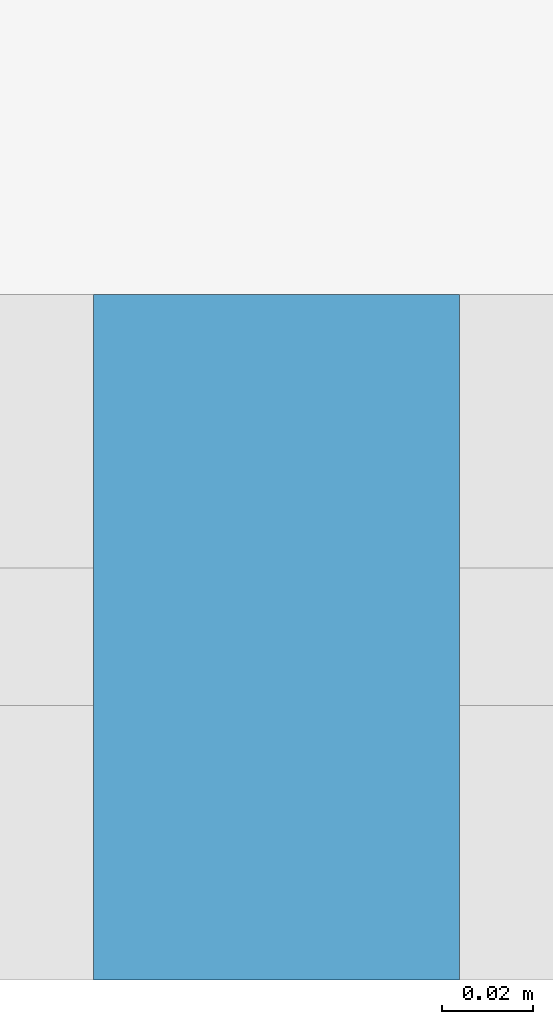
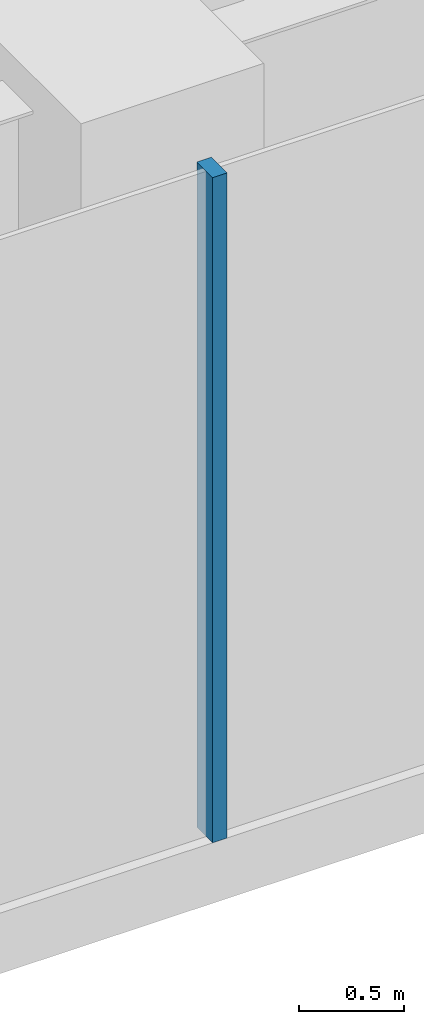
# One storey, part 5 of 26: 1 member, 1 element without a shape of its own.
"""IFC4 building model written with IfcOpenShell, lengths in metres."""

from ifc_helpers import new_model, si_unit, direction, frame, origin, origin_2d, place, context, subcontext, project, spatial, rectangle, extrude, material, layer, layer_set, material_profile, profile_set, type_object, element, aggregate, save


model = new_model("IFC4")

# Units and contexts
model_context = context("Model", 3, precision=1e-05, world=origin(), true_north=direction((0.0, 1.0)))
body_context = subcontext(model_context, "Body", "Model", "MODEL_VIEW")
ifc_project = project(units=[si_unit("LENGTHUNIT", "METRE"), si_unit("AREAUNIT", "SQUARE_METRE"), si_unit("VOLUMEUNIT", "CUBIC_METRE"), si_unit("PLANEANGLEUNIT", "RADIAN"), si_unit("MASSUNIT", "GRAM", prefix="KILO")], contexts=[model_context])

# Site, building, storey
site_placement = place(None, origin())
site = spatial("IfcSite", under=ifc_project, at=site_placement, CompositionType="ELEMENT")
building_placement = place(site_placement, origin())
building = spatial("IfcBuilding", under=site, at=building_placement, Name="Firuza Gate Tower and Library", CompositionType="ELEMENT")
storey_placement = place(building_placement, frame((0.0, 0.0, 65.199951171875)))
storey = spatial("IfcBuildingStorey", under=building, at=storey_placement, Name="L14", CompositionType="ELEMENT", Elevation=65.199951171875)

# Curtain wall, member
ifc_material_1 = material(Name="Aluminium 6063-T6", Category="aluminium")
ifc_layer = layer(ifc_material_1, 0.14990234375)
ifc_layer_set = layer_set([ifc_layer], Name="Unitised curtain wall, offices")
curtain_wall_type = type_object("IfcCurtainWallType", Name="Unitised curtain wall, offices", PredefinedType="NOTDEFINED", material=ifc_layer_set)
curtain_wall_placement = place(storey_placement, origin())
curtain_wall = element("IfcCurtainWall", 1, at=curtain_wall_placement, inside=storey, type_object=curtain_wall_type, Name="CW1 L14 S face", PredefinedType="NOTDEFINED")
ifc_material_2 = material(Name="Aluminium 6063-T6", Category="aluminium")
ifc_material_profile = material_profile(ifc_material_2, rectangle(XDim=0.14990234375, YDim=0.080078125, at=origin_2d()))
ifc_profile_set = profile_set([ifc_material_profile], Name="Aluminium 6063-T6")
member_type = type_object("IfcMemberType", Name="Curtain wall mullion 80x150", PredefinedType="MULLION", material=ifc_profile_set)
member_placement = place(storey_placement, frame((75.0, 54.25390625, 0.150146484375), z_axis=(0.0, 0.0, 1.0), x_axis=(0.0, 1.0, 0.0)))
member = element("IfcMember", 2, at=member_placement, type_object=member_type, Name="Mullion", PredefinedType="MULLION", context=body_context, shape_type="SweptSolid", body=[
    extrude(rectangle(XDim=0.14990234375, YDim=0.080078125, at=origin_2d()), origin(), (0.0, 0.0, 1.0), 3.849853515625),
])
aggregate(curtain_wall, [member])

save(model, "model.ifc")
